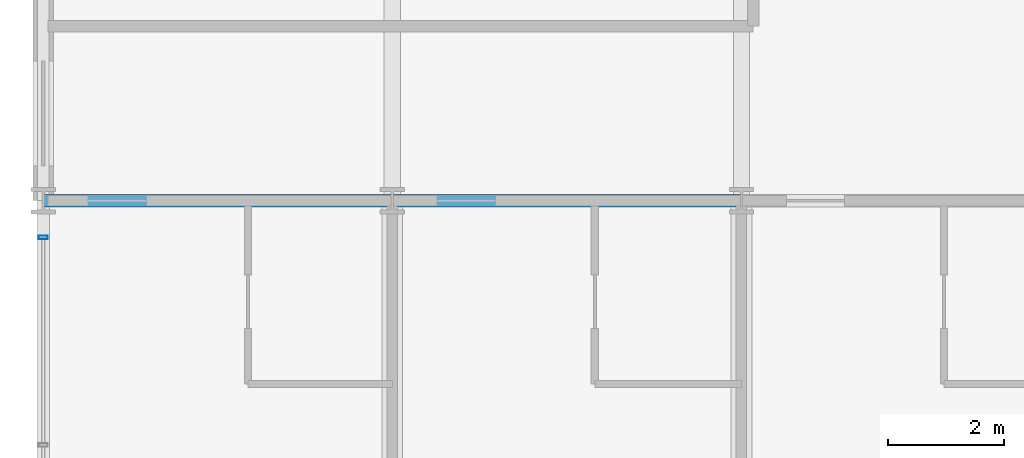
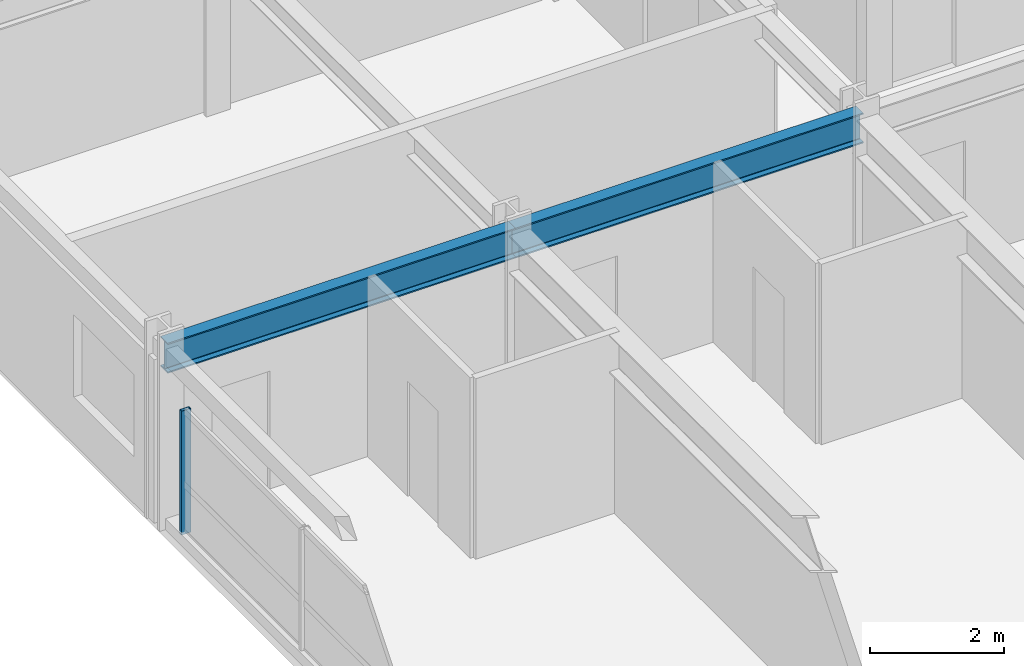
# One storey, part 4 of 26: 2 beams, 1 member, 1 element without a shape of its own.
"""IFC4 building model written with IfcOpenShell, lengths in metres."""

from ifc_helpers import new_model, si_unit, direction, frame, origin, origin_2d, place, context, subcontext, project, spatial, hollow_rectangle, i_section, extrude, material, material_profile, profile_set, type_object, element, aggregate, save


model = new_model("IFC4")

# Units and contexts
model_context = context("Model", 3, precision=1e-05, world=origin(), true_north=direction((0.0, 1.0)))
body_context = subcontext(model_context, "Body", "Model", "MODEL_VIEW")
ifc_project = project(units=[si_unit("LENGTHUNIT", "METRE"), si_unit("AREAUNIT", "SQUARE_METRE"), si_unit("VOLUMEUNIT", "CUBIC_METRE"), si_unit("PLANEANGLEUNIT", "RADIAN"), si_unit("MASSUNIT", "GRAM", prefix="KILO")], contexts=[model_context])

# Site, building, storey
site_placement = place(None, origin())
site = spatial("IfcSite", under=ifc_project, at=site_placement, CompositionType="ELEMENT")
building_placement = place(site_placement, origin())
building = spatial("IfcBuilding", under=site, at=building_placement, Name="Kaldorvane Square Convention Centre", CompositionType="ELEMENT")
storey_placement = place(building_placement, frame((0.0, 0.0, 45.600006103515625)))
storey = spatial("IfcBuildingStorey", under=building, at=storey_placement, Name="L10", CompositionType="ELEMENT", Elevation=45.600006103515625)

# Beams
ifc_material_1 = material(Name="Steel ASTM A992 Gr. 50", Category="steel")
ifc_material_profile_1 = material_profile(ifc_material_1, i_section(OverallWidth=0.213897705078125, OverallDepth=0.549102783203125, WebThickness=0.0146942138671875, FlangeThickness=0.0236053466796875, FilletRadius=0.0126953125, at=origin_2d()), Name="W21X93")
ifc_profile_set_1 = profile_set([ifc_material_profile_1], Name="Steel ASTM A992 Gr. 50")
beam_type = type_object("IfcBeamType", Name="BM-GR-W21X93", PredefinedType="BEAM", material=ifc_profile_set_1)
for number, where, z_axis, x_axis, name in (
    (1, (24.0, 96.0, 3.0114898681640625), (1.0, 0.0, 0.0), (0.0, 1.0, 0.0), "Primary Girder (L10)"),
    (2, (30.0, 96.0, 3.0114898681640625), (1.0, 0.0, 0.0), (0.0, 1.0, 0.0), "Primary Girder (L10)"),
):
    element("IfcBeam", number, at=place(storey_placement, frame(where, z_axis=z_axis, x_axis=x_axis)), inside=storey, type_object=beam_type, Name=name, PredefinedType="BEAM", context=body_context, shape_type="SweptSolid", body=[
        extrude(i_section(OverallWidth=0.213897705078125, OverallDepth=0.549102783203125, WebThickness=0.0146942138671875, FlangeThickness=0.0236053466796875, FilletRadius=0.0126953125, at=origin_2d()), origin(), (0.0, 0.0, 1.0), 6.0),
    ])

# Curtain wall, member
ifc_material_2 = material(Name="Anodized Aluminum and Low-E Insulated Glazing", Category="aluminium")
curtain_wall_type = type_object("IfcCurtainWallType", Name="CW-UNI-HTL-B", PredefinedType="USERDEFINED", material=ifc_material_2)
curtain_wall_placement = place(storey_placement, origin())
curtain_wall = element("IfcCurtainWall", 3, at=curtain_wall_placement, inside=storey, type_object=curtain_wall_type, Name="Curtain Wall CW-11 (L10)", ObjectType="UNITISED GLAZING", PredefinedType="USERDEFINED")
ifc_material_profile_2 = material_profile(ifc_material_2, hollow_rectangle(XDim=0.05999755859375, YDim=0.160003662109375, WallThickness=0.003204345703125, at=origin_2d()), Name="CWM-160X60")
ifc_profile_set_2 = profile_set([ifc_material_profile_2], Name="Anodized Aluminum and Low-E Insulated Glazing")
member_type = type_object("IfcMemberType", Name="CW-MUL-160", PredefinedType="MULLION", material=ifc_profile_set_2)
member_placement = place(storey_placement, frame((24.0, 95.3699951171875, 0.149993896484375), z_axis=(0.0, 0.0, 1.0), x_axis=(0.0, -1.0, 0.0)))
member = element("IfcMember", 4, at=member_placement, type_object=member_type, Name="CW-11 mullion 1", PredefinedType="MULLION", context=body_context, shape_type="SweptSolid", body=[
    extrude(hollow_rectangle(XDim=0.05999755859375, YDim=0.160003662109375, WallThickness=0.003204345703125, at=origin_2d()), origin(), (0.0, 0.0, 1.0), 2.2599945068359375),
])
aggregate(curtain_wall, [member])

save(model, "model.ifc")
